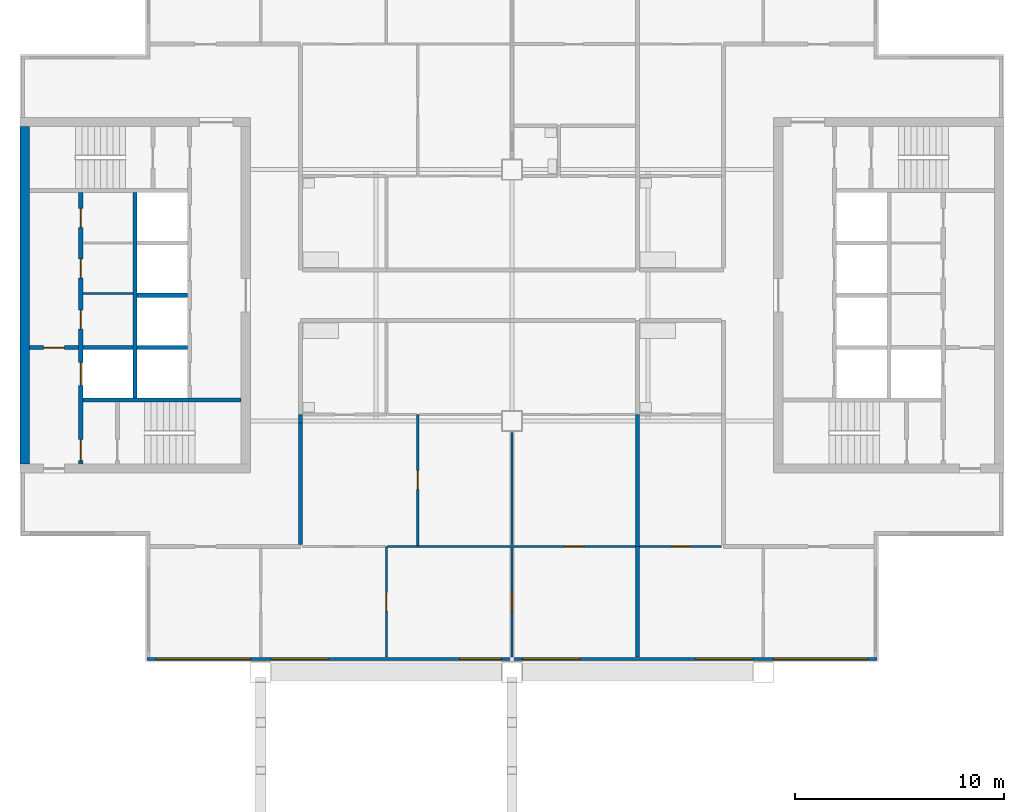
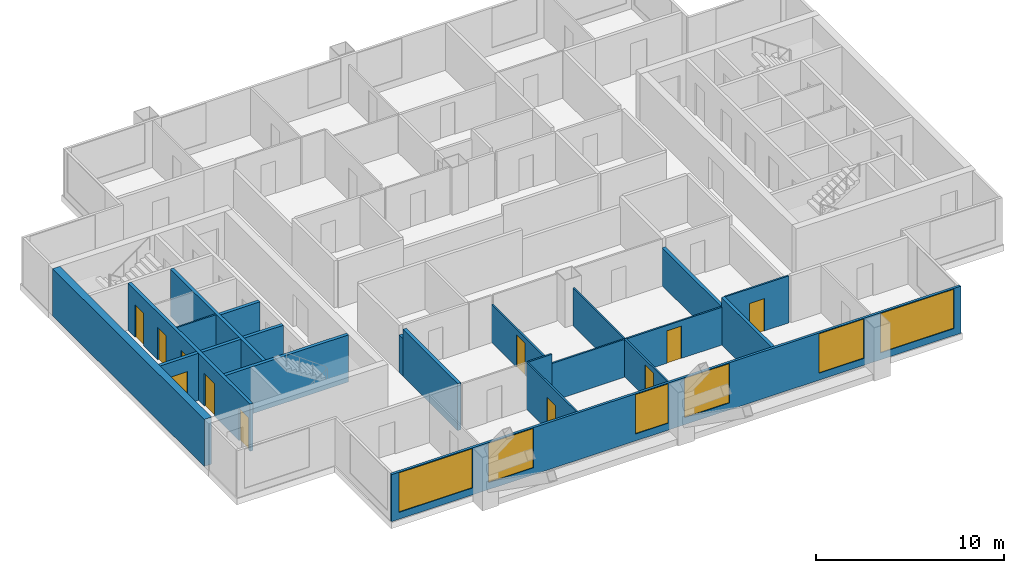
# One storey, part 2 of 8: 22 walls, 11 doors, 6 windows, 17 openings.
"""IFC4 building model written with IfcOpenShell, lengths in metres."""

from ifc_helpers import new_model, si_unit, direction, frame, frame_2d, origin, place, context, subcontext, project, spatial, rectangle, extrude, material, layer, layer_set, type_object, element, fill, save


model = new_model("IFC4")

# Units and contexts
model_context = context("Model", 3, precision=1e-05, world=origin(), true_north=direction((0.0, 1.0)))
body_context = subcontext(model_context, "Body", "Model", "MODEL_VIEW")
ifc_project = project(units=[si_unit("LENGTHUNIT", "METRE"), si_unit("AREAUNIT", "SQUARE_METRE"), si_unit("VOLUMEUNIT", "CUBIC_METRE"), si_unit("PLANEANGLEUNIT", "RADIAN"), si_unit("MASSUNIT", "GRAM", prefix="KILO")], contexts=[model_context])

# Site, building, storey
site_placement = place(None, origin())
site = spatial("IfcSite", under=ifc_project, at=site_placement, CompositionType="ELEMENT")
building_placement = place(site_placement, origin())
building = spatial("IfcBuilding", under=site, at=building_placement, Name="Kitamizu Gate Tower and Museum", CompositionType="ELEMENT")
storey_placement = place(building_placement, frame((0.0, 0.0, 266.25)))
storey = spatial("IfcBuildingStorey", under=building, at=storey_placement, Name="L72", CompositionType="ELEMENT", Elevation=266.25)

# Walls
ifc_material_1 = material(Name="Concrete Fc42", Category="concrete")
ifc_layer_1 = layer(ifc_material_1, 0.449951171875)
ifc_layer_set_1 = layer_set([ifc_layer_1], Name="Concrete Fc42")
wall_type_1 = type_object("IfcWallType", Name="Core wall 450 EI 90", PredefinedType="SHEAR", material=ifc_layer_set_1)
wall_1_placement = place(storey_placement, frame((12.72509765625, 21.949951171875, 0.0), z_axis=(0.0, 0.0, 1.0), x_axis=(0.0, 1.0, 0.0)))
element("IfcWall", 1, at=wall_1_placement, inside=storey, type_object=wall_type_1, Name="Core wall WOUT", PredefinedType="SHEAR", context=body_context, shape_type="SweptSolid", body=[
    extrude(rectangle(XDim=16.10009765625, YDim=0.449951171875, at=frame_2d((8.050048828125, 0.0))), origin(), (0.0, 0.0, 1.0), 3.050048828125),
])
ifc_material_2 = material(Name="Gypsum board on galvanised stud")
ifc_layer_2 = layer(ifc_material_2, 0.10009765625)
ifc_layer_set_2 = layer_set([ifc_layer_2], Name="Gypsum board on galvanised stud")
wall_type_2 = type_object("IfcWallType", Name="Partition 100", PredefinedType="PARTITIONING", material=ifc_layer_set_2)
wall_2_placement = place(storey_placement, frame((15.5, 30.08203125, 0.0), z_axis=(0.0, 0.0, 1.0), x_axis=(1.0, 0.0, 0.0)))
element("IfcWall", 2, at=wall_2_placement, inside=storey, type_object=wall_type_2, Name="Partition WPF1", PredefinedType="PARTITIONING", context=body_context, shape_type="SweptSolid", body=[
    extrude(rectangle(XDim=2.39990234375, YDim=0.10009765625, at=frame_2d((1.199951171875, 0.0))), origin(), (0.0, 0.0, 1.0), 3.050048828125),
])

# Wall, opening, door
ifc_material_3 = material(Name="Gypsum board on galvanised stud")
ifc_layer_3 = layer(ifc_material_3, 0.10009765625)
ifc_layer_set_3 = layer_set([ifc_layer_3], Name="Gypsum board on galvanised stud")
wall_type_3 = type_object("IfcWallType", Name="Partition 100 NOT RATED", PredefinedType="PARTITIONING", material=ifc_layer_set_3)
wall_3_placement = place(storey_placement, frame((30.0, 12.719970703125, 0.0), z_axis=(0.0, 0.0, 1.0), x_axis=(0.0, 1.0, 0.0)))
wall_3 = element("IfcWall", 3, at=wall_3_placement, inside=storey, type_object=wall_type_3, Name="Partition L72-003", PredefinedType="PARTITIONING", context=body_context, shape_type="SweptSolid", body=[
    extrude(rectangle(XDim=5.280029296875, YDim=0.10009765625, at=frame_2d((2.64013671875, 0.0))), origin(), (0.0, 0.0, 1.0), 3.050048828125),
])
opening_1_placement = place(wall_3_placement, frame((2.18994140625, 0.0, 0.0)))
opening_1 = element("IfcOpeningElement", 4, at=opening_1_placement, cuts=wall_3, Name="Opening L72-003", PredefinedType="OPENING", context=body_context, shape_type="SweptSolid", body=[
    extrude(rectangle(XDim=0.89990234375, YDim=2.10009765625, at=frame_2d((0.449951171875, 1.050048828125))), frame((0.0, 0.06005859375, 0.0), z_axis=(0.0, -1.0, 0.0), x_axis=(1.0, 0.0, 0.0)), (0.0, 0.0, 1.0), 0.1201171875),
])
ifc_material_4 = material(Name="Timber door set", Category="wood")
door_type_1 = type_object("IfcDoorType", Name="Room door 900", OperationType="NOTDEFINED", PredefinedType="DOOR", material=ifc_material_4)
door_1_placement = place(opening_1_placement, origin())
door_1 = element("IfcDoor", 5, at=door_1_placement, inside=storey, type_object=door_type_1, Name="Door L72-003", OperationType="SINGLE_SWING_RIGHT", OverallHeight=2.10009765625, OverallWidth=0.89990234375, PredefinedType="DOOR", context=body_context, shape_type="SweptSolid", body=[
    extrude(rectangle(XDim=0.89990234375, YDim=2.10009765625, at=frame_2d((0.449951171875, 1.050048828125))), frame((0.0, 0.02490234375, 0.0), z_axis=(0.0, -1.0, 0.0), x_axis=(1.0, 0.0, 0.0)), (0.0, 0.0, 1.0), 0.050048828125),
])
fill(opening_1, door_1)

wall_4_placement = place(storey_placement, frame((36.0, 12.719970703125, 0.0), z_axis=(0.0, 0.0, 1.0), x_axis=(0.0, 1.0, 0.0)))
wall_4 = element("IfcWall", 6, at=wall_4_placement, inside=storey, type_object=wall_type_3, Name="Partition L72-006", PredefinedType="PARTITIONING", context=body_context, shape_type="SweptSolid", body=[
    extrude(rectangle(XDim=5.280029296875, YDim=0.10009765625, at=frame_2d((2.64013671875, 0.0))), origin(), (0.0, 0.0, 1.0), 2.449951171875),
])
opening_2_placement = place(wall_4_placement, frame((2.18994140625, 0.0, 0.0)))
opening_2 = element("IfcOpeningElement", 7, at=opening_2_placement, cuts=wall_4, Name="Opening L72-004", PredefinedType="OPENING", context=body_context, shape_type="SweptSolid", body=[
    extrude(rectangle(XDim=0.89990234375, YDim=2.10009765625, at=frame_2d((0.449951171875, 1.050048828125))), frame((0.0, 0.06005859375, 0.0), z_axis=(0.0, -1.0, 0.0), x_axis=(1.0, 0.0, 0.0)), (0.0, 0.0, 1.0), 0.1201171875),
])
door_2_placement = place(opening_2_placement, origin())
door_2 = element("IfcDoor", 8, at=door_2_placement, inside=storey, type_object=door_type_1, Name="Door L72-004", OperationType="SINGLE_SWING_LEFT", OverallHeight=2.10009765625, OverallWidth=0.89990234375, PredefinedType="DOOR", context=body_context, shape_type="SweptSolid", body=[
    extrude(rectangle(XDim=0.89990234375, YDim=2.10009765625, at=frame_2d((0.449951171875, 1.050048828125))), frame((0.0, 0.02490234375, 0.0), z_axis=(0.0, -1.0, 0.0), x_axis=(1.0, 0.0, 0.0)), (0.0, 0.0, 1.0), 0.050048828125),
])
fill(opening_2, door_2)

# Walls
wall_5_placement = place(storey_placement, frame((31.5, 18.0, 0.0), z_axis=(0.0, 0.0, 1.0), x_axis=(-1.0, 0.0, 0.0)))
element("IfcWall", 9, at=wall_5_placement, inside=storey, type_object=wall_type_3, Name="Partition L72-007", PredefinedType="PARTITIONING", context=body_context, shape_type="SweptSolid", body=[
    extrude(rectangle(XDim=1.449951171875, YDim=0.10009765625, at=frame_2d((0.72509765625, 0.0))), origin(), (0.0, 0.0, 1.0), 3.050048828125),
])
wall_6_placement = place(storey_placement, frame((35.949951171875, 18.0, 0.0), z_axis=(0.0, 0.0, 1.0), x_axis=(-1.0, 0.0, 0.0)))
element("IfcWall", 10, at=wall_6_placement, inside=storey, type_object=wall_type_3, Name="Partition L72-008", PredefinedType="PARTITIONING", context=body_context, shape_type="SweptSolid", body=[
    extrude(rectangle(XDim=4.449951171875, YDim=0.10009765625, at=frame_2d((2.22509765625, 0.0))), origin(), (0.0, 0.0, 1.0), 2.449951171875),
])

# Wall, opening, door
wall_7_placement = place(storey_placement, frame((41.89990234375, 18.0, 0.0), z_axis=(0.0, 0.0, 1.0), x_axis=(-1.0, 0.0, 0.0)))
wall_7 = element("IfcWall", 11, at=wall_7_placement, inside=storey, type_object=wall_type_3, Name="Partition L72-009", PredefinedType="PARTITIONING", context=body_context, shape_type="SweptSolid", body=[
    extrude(rectangle(XDim=5.849853515625, YDim=0.10009765625, at=frame_2d((2.9248046875, 0.0))), origin(), (0.0, 0.0, 1.0), 2.449951171875),
])
opening_3_placement = place(wall_7_placement, frame((2.47509765625, 0.0, 0.0)))
opening_3 = element("IfcOpeningElement", 12, at=opening_3_placement, cuts=wall_7, Name="Opening L72-007", PredefinedType="OPENING", context=body_context, shape_type="SweptSolid", body=[
    extrude(rectangle(XDim=0.89990234375, YDim=2.10009765625, at=frame_2d((0.449951171875, 1.050048828125))), frame((0.0, 0.06005859375, 0.0), z_axis=(0.0, -1.0, 0.0), x_axis=(1.0, 0.0, 0.0)), (0.0, 0.0, 1.0), 0.1201171875),
])
door_3_placement = place(opening_3_placement, origin())
door_3 = element("IfcDoor", 13, at=door_3_placement, inside=storey, type_object=door_type_1, Name="Door L72-007", OperationType="SINGLE_SWING_RIGHT", OverallHeight=2.10009765625, OverallWidth=0.89990234375, PredefinedType="DOOR", context=body_context, shape_type="SweptSolid", body=[
    extrude(rectangle(XDim=0.89990234375, YDim=2.10009765625, at=frame_2d((0.449951171875, 1.050048828125))), frame((0.0, 0.02490234375, 0.0), z_axis=(0.0, -1.0, 0.0), x_axis=(1.0, 0.0, 0.0)), (0.0, 0.0, 1.0), 0.050048828125),
])
fill(opening_3, door_3)

wall_8_placement = place(storey_placement, frame((31.5, 18.050048828125, 0.0), z_axis=(0.0, 0.0, 1.0), x_axis=(0.0, 1.0, 0.0)))
wall_8 = element("IfcWall", 14, at=wall_8_placement, inside=storey, type_object=wall_type_3, Name="Partition L72-011", PredefinedType="PARTITIONING", context=body_context, shape_type="SweptSolid", body=[
    extrude(rectangle(XDim=6.25, YDim=0.10009765625, at=frame_2d((3.125, 0.0))), origin(), (0.0, 0.0, 1.0), 2.449951171875),
])
opening_4_placement = place(wall_8_placement, frame((2.675048828125, 0.0, 0.0)))
opening_4 = element("IfcOpeningElement", 15, at=opening_4_placement, cuts=wall_8, Name="Opening L72-006", PredefinedType="OPENING", context=body_context, shape_type="SweptSolid", body=[
    extrude(rectangle(XDim=0.89990234375, YDim=2.10009765625, at=frame_2d((0.449951171875, 1.050048828125))), frame((0.0, 0.06005859375, 0.0), z_axis=(0.0, -1.0, 0.0), x_axis=(1.0, 0.0, 0.0)), (0.0, 0.0, 1.0), 0.1201171875),
])
door_4_placement = place(opening_4_placement, frame((0.89990234375, 0.0, 0.0), x_axis=(-1.0, 0.0, 0.0)))
door_4 = element("IfcDoor", 16, at=door_4_placement, inside=storey, type_object=door_type_1, Name="Door L72-006", OperationType="SINGLE_SWING_RIGHT", OverallHeight=2.10009765625, OverallWidth=0.89990234375, PredefinedType="DOOR", context=body_context, shape_type="SweptSolid", body=[
    extrude(rectangle(XDim=0.89990234375, YDim=2.10009765625, at=frame_2d((0.449951171875, 1.050048828125))), frame((0.0, 0.02490234375, 0.0), z_axis=(0.0, -1.0, 0.0), x_axis=(1.0, 0.0, 0.0)), (0.0, 0.0, 1.0), 0.050048828125),
])
fill(opening_4, door_4)

# Wall
wall_9_placement = place(storey_placement, frame((36.0, 18.050048828125, 0.0), z_axis=(0.0, 0.0, 1.0), x_axis=(0.0, 1.0, 0.0)))
element("IfcWall", 17, at=wall_9_placement, inside=storey, type_object=wall_type_3, Name="Partition L72-016", PredefinedType="PARTITIONING", context=body_context, shape_type="SweptSolid", body=[
    extrude(rectangle(XDim=5.39990234375, YDim=0.10009765625, at=frame_2d((2.699951171875, 0.0))), origin(), (0.0, 0.0, 1.0), 2.449951171875),
])

# Wall, opening, door
wall_10_placement = place(storey_placement, frame((46.0, 18.0, 0.0), z_axis=(0.0, 0.0, 1.0), x_axis=(-1.0, 0.0, 0.0)))
wall_10 = element("IfcWall", 18, at=wall_10_placement, inside=storey, type_object=wall_type_3, Name="Partition L72-060", PredefinedType="PARTITIONING", context=body_context, shape_type="SweptSolid", body=[
    extrude(rectangle(XDim=3.89990234375, YDim=0.10009765625, at=frame_2d((1.949951171875, 0.0))), origin(), (0.0, 0.0, 1.0), 3.050048828125),
])
opening_5_placement = place(wall_10_placement, frame((1.5, 0.0, 0.0)))
opening_5 = element("IfcOpeningElement", 19, at=opening_5_placement, cuts=wall_10, Name="Opening L72-023", PredefinedType="OPENING", context=body_context, shape_type="SweptSolid", body=[
    extrude(rectangle(XDim=0.89990234375, YDim=2.10009765625, at=frame_2d((0.449951171875, 1.050048828125))), frame((0.0, 0.06005859375, 0.0), z_axis=(0.0, -1.0, 0.0), x_axis=(1.0, 0.0, 0.0)), (0.0, 0.0, 1.0), 0.1201171875),
])
door_5_placement = place(opening_5_placement, frame((0.89990234375, 0.0, 0.0), x_axis=(-1.0, 0.0, 0.0)))
door_5 = element("IfcDoor", 20, at=door_5_placement, inside=storey, type_object=door_type_1, Name="Door L72-023", OperationType="SINGLE_SWING_LEFT", OverallHeight=2.10009765625, OverallWidth=0.89990234375, PredefinedType="DOOR", context=body_context, shape_type="SweptSolid", body=[
    extrude(rectangle(XDim=0.89990234375, YDim=2.10009765625, at=frame_2d((0.449951171875, 1.050048828125))), frame((0.0, 0.02490234375, 0.0), z_axis=(0.0, -1.0, 0.0), x_axis=(1.0, 0.0, 0.0)), (0.0, 0.0, 1.0), 0.050048828125),
])
fill(opening_5, door_5)

# Walls
ifc_material_5 = material(Name="Gypsum board on galvanised stud")
ifc_layer_4 = layer(ifc_material_5, 0.199951171875)
ifc_layer_set_4 = layer_set([ifc_layer_4], Name="Gypsum board on galvanised stud")
wall_type_4 = type_object("IfcWallType", Name="Partition 200", PredefinedType="PARTITIONING", material=ifc_layer_set_4)
wall_11_placement = place(storey_placement, frame((42.0, 12.719970703125, 0.0), z_axis=(0.0, 0.0, 1.0), x_axis=(0.0, 1.0, 0.0)))
element("IfcWall", 21, at=wall_11_placement, inside=storey, type_object=wall_type_4, Name="Partition L72-010", PredefinedType="PARTITIONING", context=body_context, shape_type="SweptSolid", body=[
    extrude(rectangle(XDim=5.280029296875, YDim=0.199951171875, at=frame_2d((2.64013671875, 0.0))), origin(), (0.0, 0.0, 1.0), 3.050048828125),
])
wall_12_placement = place(storey_placement, frame((25.89990234375, 24.300048828125, 0.0), z_axis=(0.0, 0.0, 1.0), x_axis=(0.0, -1.0, 0.0)))
element("IfcWall", 22, at=wall_12_placement, inside=storey, type_object=wall_type_4, Name="Partition L72-014", PredefinedType="PARTITIONING", context=body_context, shape_type="SweptSolid", body=[
    extrude(rectangle(XDim=0.400146484375, YDim=0.199951171875, at=frame_2d((0.2001953125, 0.0))), origin(), (0.0, 0.0, 1.0), 2.449951171875),
])
wall_13_placement = place(storey_placement, frame((25.89990234375, 23.89990234375, 0.0), z_axis=(0.0, 0.0, 1.0), x_axis=(0.0, -1.0, 0.0)))
element("IfcWall", 23, at=wall_13_placement, inside=storey, type_object=wall_type_4, Name="Partition L72-015", PredefinedType="PARTITIONING", context=body_context, shape_type="SweptSolid", body=[
    extrude(rectangle(XDim=5.7998046875, YDim=0.199951171875, at=frame_2d((2.89990234375, 0.0))), origin(), (0.0, 0.0, 1.0), 3.050048828125),
])
wall_14_placement = place(storey_placement, frame((42.0, 18.0, 0.0), z_axis=(0.0, 0.0, 1.0), x_axis=(0.0, 1.0, 0.0)))
element("IfcWall", 24, at=wall_14_placement, inside=storey, type_object=wall_type_4, Name="Partition L72-019", PredefinedType="PARTITIONING", context=body_context, shape_type="SweptSolid", body=[
    extrude(rectangle(XDim=6.300048828125, YDim=0.199951171875, at=frame_2d((3.14990234375, 0.0))), origin(), (0.0, 0.0, 1.0), 2.449951171875),
])

# Wall, openings, doors
ifc_material_6 = material(Name="Concrete Fc42", Category="concrete")
ifc_layer_5 = layer(ifc_material_6, 0.199951171875)
ifc_layer_set_5 = layer_set([ifc_layer_5], Name="Concrete Fc42")
wall_type_5 = type_object("IfcWallType", Name="Shaft wall 200", PredefinedType="SOLIDWALL", material=ifc_layer_set_5)
wall_15_placement = place(storey_placement, frame((15.39990234375, 21.949951171875, 0.0), z_axis=(0.0, 0.0, 1.0), x_axis=(0.0, 1.0, 0.0)))
wall_15 = element("IfcWall", 25, at=wall_15_placement, inside=storey, type_object=wall_type_5, Name="Shaft wall WWEST", PredefinedType="SOLIDWALL", context=body_context, shape_type="SweptSolid", body=[
    extrude(rectangle(XDim=12.949951171875, YDim=0.199951171875, at=frame_2d((6.47509765625, 0.0))), origin(), (0.0, 0.0, 1.0), 3.050048828125),
])
opening_6_placement = place(wall_15_placement, frame((3.75, 0.0, 0.0)))
opening_6 = element("IfcOpeningElement", 26, at=opening_6_placement, cuts=wall_15, Name="Opening LD", PredefinedType="OPENING", context=body_context, shape_type="SweptSolid", body=[
    extrude(rectangle(XDim=1.10009765625, YDim=2.10009765625, at=frame_2d((0.550048828125, 1.050048828125))), frame((0.0, 0.10986328125, 0.0), z_axis=(0.0, -1.0, 0.0), x_axis=(1.0, 0.0, 0.0)), (0.0, 0.0, 1.0), 0.219970703125),
])
opening_7_placement = place(wall_15_placement, frame((0.14990234375, 0.0, 0.0)))
opening_7 = element("IfcOpeningElement", 27, at=opening_7_placement, cuts=wall_15, Name="Opening L72-030", PredefinedType="OPENING", context=body_context, shape_type="SweptSolid", body=[
    extrude(rectangle(XDim=1.0, YDim=2.10009765625, at=frame_2d((0.5, 1.050048828125))), frame((0.0, 0.10986328125, 0.0), z_axis=(0.0, -1.0, 0.0), x_axis=(1.0, 0.0, 0.0)), (0.0, 0.0, 1.0), 0.219970703125),
])
opening_8_placement = place(wall_15_placement, frame((6.44091796875, 0.0, 0.0)))
opening_8 = element("IfcOpeningElement", 28, at=opening_8_placement, cuts=wall_15, Name="Opening L72-037", PredefinedType="OPENING", context=body_context, shape_type="SweptSolid", body=[
    extrude(rectangle(XDim=0.89990234375, YDim=2.10009765625, at=frame_2d((0.449951171875, 1.050048828125))), frame((0.0, 0.10986328125, 0.0), z_axis=(0.0, -1.0, 0.0), x_axis=(1.0, 0.0, 0.0)), (0.0, 0.0, 1.0), 0.219970703125),
])
opening_9_placement = place(wall_15_placement, frame((8.886474609375, 0.0, 0.0)))
opening_9 = element("IfcOpeningElement", 29, at=opening_9_placement, cuts=wall_15, Name="Opening L72-038", PredefinedType="OPENING", context=body_context, shape_type="SweptSolid", body=[
    extrude(rectangle(XDim=0.89990234375, YDim=2.10009765625, at=frame_2d((0.449951171875, 1.050048828125))), frame((0.0, 0.10986328125, 0.0), z_axis=(0.0, -1.0, 0.0), x_axis=(1.0, 0.0, 0.0)), (0.0, 0.0, 1.0), 0.219970703125),
])
opening_10_placement = place(wall_15_placement, frame((11.29541015625, 0.0, 0.0)))
opening_10 = element("IfcOpeningElement", 30, at=opening_10_placement, cuts=wall_15, Name="Opening L72-039", PredefinedType="OPENING", context=body_context, shape_type="SweptSolid", body=[
    extrude(rectangle(XDim=0.89990234375, YDim=2.10009765625, at=frame_2d((0.449951171875, 1.050048828125))), frame((0.0, 0.10986328125, 0.0), z_axis=(0.0, -1.0, 0.0), x_axis=(1.0, 0.0, 0.0)), (0.0, 0.0, 1.0), 0.219970703125),
])
ifc_material_7 = material(Name="Hollow metal door set")
door_type_2 = type_object("IfcDoorType", Name="Fire door 1000", OperationType="NOTDEFINED", PredefinedType="DOOR", material=ifc_material_7)
door_6_placement = place(opening_7_placement, frame((1.0, 0.0, 0.0), x_axis=(-1.0, 0.0, 0.0)))
door_6 = element("IfcDoor", 31, at=door_6_placement, inside=storey, type_object=door_type_2, Name="Stair lobby door L72-030", OperationType="SINGLE_SWING_LEFT", OverallHeight=2.10009765625, OverallWidth=1.0, PredefinedType="DOOR", context=body_context, shape_type="SweptSolid", body=[
    extrude(rectangle(XDim=1.0, YDim=2.10009765625, at=frame_2d((0.5, 1.050048828125))), frame((0.0, 0.02490234375, 0.0), z_axis=(0.0, -1.0, 0.0), x_axis=(1.0, 0.0, 0.0)), (0.0, 0.0, 1.0), 0.050048828125),
])
fill(opening_7, door_6)
ifc_material_8 = material(Name="Hollow metal door set")
door_type_3 = type_object("IfcDoorType", Name="Landing door 1100", OperationType="SLIDING_TO_LEFT", PredefinedType="DOOR", material=ifc_material_8)
door_7_placement = place(opening_6_placement, origin())
door_7 = element("IfcDoor", 32, at=door_7_placement, inside=storey, type_object=door_type_3, Name="Landing door WFF1", OperationType="SLIDING_TO_LEFT", OverallHeight=2.10009765625, OverallWidth=1.10009765625, PredefinedType="DOOR", context=body_context, shape_type="SweptSolid", body=[
    extrude(rectangle(XDim=1.10009765625, YDim=2.10009765625, at=frame_2d((0.550048828125, 1.050048828125))), frame((0.0, 0.02490234375, 0.0), z_axis=(0.0, -1.0, 0.0), x_axis=(1.0, 0.0, 0.0)), (0.0, 0.0, 1.0), 0.050048828125),
])
fill(opening_6, door_7)
ifc_material_9 = material(Name="Timber door set", Category="wood")
door_type_4 = type_object("IfcDoorType", Name="Service door 900", OperationType="NOTDEFINED", PredefinedType="DOOR", material=ifc_material_9)
door_8_placement = place(opening_8_placement, frame((0.89990234375, 0.0, 0.0), x_axis=(-1.0, 0.0, 0.0)))
door_8 = element("IfcDoor", 33, at=door_8_placement, inside=storey, type_object=door_type_4, Name="Service door L72-037", OperationType="SINGLE_SWING_LEFT", OverallHeight=2.10009765625, OverallWidth=0.89990234375, PredefinedType="DOOR", context=body_context, shape_type="SweptSolid", body=[
    extrude(rectangle(XDim=0.89990234375, YDim=2.10009765625, at=frame_2d((0.449951171875, 1.050048828125))), frame((0.0, 0.02490234375, 0.0), z_axis=(0.0, -1.0, 0.0), x_axis=(1.0, 0.0, 0.0)), (0.0, 0.0, 1.0), 0.050048828125),
])
fill(opening_8, door_8)
door_9_placement = place(opening_9_placement, frame((0.89990234375, 0.0, 0.0), x_axis=(-1.0, 0.0, 0.0)))
door_9 = element("IfcDoor", 34, at=door_9_placement, inside=storey, type_object=door_type_4, Name="Service door L72-038", OperationType="SINGLE_SWING_RIGHT", OverallHeight=2.10009765625, OverallWidth=0.89990234375, PredefinedType="DOOR", context=body_context, shape_type="SweptSolid", body=[
    extrude(rectangle(XDim=0.89990234375, YDim=2.10009765625, at=frame_2d((0.449951171875, 1.050048828125))), frame((0.0, 0.02490234375, 0.0), z_axis=(0.0, -1.0, 0.0), x_axis=(1.0, 0.0, 0.0)), (0.0, 0.0, 1.0), 0.050048828125),
])
fill(opening_9, door_9)
door_10_placement = place(opening_10_placement, frame((0.89990234375, 0.0, 0.0), x_axis=(-1.0, 0.0, 0.0)))
door_10 = element("IfcDoor", 35, at=door_10_placement, inside=storey, type_object=door_type_4, Name="Service door L72-039", OperationType="SINGLE_SWING_LEFT", OverallHeight=2.10009765625, OverallWidth=0.89990234375, PredefinedType="DOOR", context=body_context, shape_type="SweptSolid", body=[
    extrude(rectangle(XDim=0.89990234375, YDim=2.10009765625, at=frame_2d((0.449951171875, 1.050048828125))), frame((0.0, 0.02490234375, 0.0), z_axis=(0.0, -1.0, 0.0), x_axis=(1.0, 0.0, 0.0)), (0.0, 0.0, 1.0), 0.050048828125),
])
fill(opening_10, door_10)

# Walls
wall_16_placement = place(storey_placement, frame((18.0, 25.10009765625, 0.0), z_axis=(0.0, 0.0, 1.0), x_axis=(0.0, 1.0, 0.0)))
element("IfcWall", 36, at=wall_16_placement, inside=storey, type_object=wall_type_5, Name="Shaft wall WMID", PredefinedType="SOLIDWALL", context=body_context, shape_type="SweptSolid", body=[
    extrude(rectangle(XDim=9.7998046875, YDim=0.199951171875, at=frame_2d((4.89990234375, 0.0))), origin(), (0.0, 0.0, 1.0), 3.050048828125),
])
wall_17_placement = place(storey_placement, frame((15.5, 25.0, 0.0), z_axis=(0.0, 0.0, 1.0), x_axis=(1.0, 0.0, 0.0)))
element("IfcWall", 37, at=wall_17_placement, inside=storey, type_object=wall_type_5, Name="Shaft wall WSB", PredefinedType="SOLIDWALL", context=body_context, shape_type="SweptSolid", body=[
    extrude(rectangle(XDim=7.550048828125, YDim=0.199951171875, at=frame_2d((3.77490234375, 0.0))), origin(), (0.0, 0.0, 1.0), 3.050048828125),
])

# Wall, opening, door
wall_18_placement = place(storey_placement, frame((12.949951171875, 27.5, 0.0), z_axis=(0.0, 0.0, 1.0), x_axis=(1.0, 0.0, 0.0)))
wall_18 = element("IfcWall", 38, at=wall_18_placement, inside=storey, type_object=wall_type_5, Name="Shaft wall WFFN", PredefinedType="SOLIDWALL", context=body_context, shape_type="SweptSolid", body=[
    extrude(rectangle(XDim=2.35009765625, YDim=0.199951171875, at=frame_2d((1.175048828125, 0.0))), origin(), (0.0, 0.0, 1.0), 3.050048828125),
])
opening_11_placement = place(wall_18_placement, frame((0.675048828125, 0.0, 0.0)))
opening_11 = element("IfcOpeningElement", 39, at=opening_11_placement, cuts=wall_18, Name="Opening L72-033", PredefinedType="OPENING", context=body_context, shape_type="SweptSolid", body=[
    extrude(rectangle(XDim=1.0, YDim=2.10009765625, at=frame_2d((0.5, 1.050048828125))), frame((0.0, 0.10986328125, 0.0), z_axis=(0.0, -1.0, 0.0), x_axis=(1.0, 0.0, 0.0)), (0.0, 0.0, 1.0), 0.219970703125),
])
door_11_placement = place(opening_11_placement, frame((1.0, 0.0, 0.0), x_axis=(-1.0, 0.0, 0.0)))
door_11 = element("IfcDoor", 40, at=door_11_placement, inside=storey, type_object=door_type_2, Name="Fire-fighting lobby door L72-033", OperationType="SINGLE_SWING_LEFT", OverallHeight=2.10009765625, OverallWidth=1.0, PredefinedType="DOOR", context=body_context, shape_type="SweptSolid", body=[
    extrude(rectangle(XDim=1.0, YDim=2.10009765625, at=frame_2d((0.5, 1.050048828125))), frame((0.0, 0.02490234375, 0.0), z_axis=(0.0, -1.0, 0.0), x_axis=(1.0, 0.0, 0.0)), (0.0, 0.0, 1.0), 0.050048828125),
])
fill(opening_11, door_11)

# Walls
for number, where, z_axis, x_axis, name in (
    (41, (15.5, 27.5, 0.0), (0.0, 0.0, 1.0), (1.0, 0.0, 0.0), "Shaft wall WDVW0"),
    (42, (18.10009765625, 27.5, 0.0), (0.0, 0.0, 1.0), (1.0, 0.0, 0.0), "Shaft wall WDVE0"),
    (43, (18.10009765625, 30.0, 0.0), (0.0, 0.0, 1.0), (1.0, 0.0, 0.0), "Shaft wall WDVE1"),
):
    element("IfcWall", number, at=place(storey_placement, frame(where, z_axis=z_axis, x_axis=x_axis)), inside=storey, type_object=wall_type_5, Name=name, PredefinedType="SOLIDWALL", context=body_context, shape_type="SweptSolid", body=[
        extrude(rectangle(XDim=2.39990234375, YDim=0.199951171875, at=frame_2d((1.199951171875, 0.0))), origin(), (0.0, 0.0, 1.0), 3.050048828125),
    ])

# Wall, openings, windows
ifc_material_10 = material(Name="Bronze anodised aluminium frame with insulated spandrel and tinted glass", Category="aluminium")
ifc_layer_6 = layer(ifc_material_10, 0.14990234375)
ifc_layer_set_6 = layer_set([ifc_layer_6], Name="Bronze anodised aluminium frame with insulated spandrel and tinted glass")
wall_type_6 = type_object("IfcWallType", Name="WINDOW WALL 150 BRONZE FRAME EI 30", PredefinedType="ELEMENTEDWALL", material=ifc_layer_set_6)
wall_19_placement = place(storey_placement, frame((18.56005859375, 12.635009765625, 0.0), z_axis=(0.0, 0.0, 1.0), x_axis=(1.0, 0.0, 0.0)))
wall_19 = element("IfcWall", 44, at=wall_19_placement, inside=storey, type_object=wall_type_6, Name="Window wall south L72", PredefinedType="ELEMENTEDWALL", context=body_context, shape_type="SweptSolid", body=[
    extrude(rectangle(XDim=34.8798828125, YDim=0.14990234375, at=frame_2d((17.43994140625, 0.0))), origin(), (0.0, 0.0, 1.0), 3.050048828125),
])
opening_12_placement = place(wall_19_placement, frame((0.43994140625, 0.0, 0.449951171875)))
opening_12 = element("IfcOpeningElement", 45, at=opening_12_placement, cuts=wall_19, Name="Opening W15", PredefinedType="OPENING", context=body_context, shape_type="SweptSolid", body=[
    extrude(rectangle(XDim=4.5, YDim=2.550048828125, at=frame_2d((2.25, 1.27490234375))), frame((0.0, 0.0849609375, 0.0), z_axis=(0.0, -1.0, 0.0), x_axis=(1.0, 0.0, 0.0)), (0.0, 0.0, 1.0), 0.169921875),
])
opening_13_placement = place(wall_19_placement, frame((5.93994140625, 0.0, 0.449951171875)))
opening_13 = element("IfcOpeningElement", 46, at=opening_13_placement, cuts=wall_19, Name="Opening W32", PredefinedType="OPENING", context=body_context, shape_type="SweptSolid", body=[
    extrude(rectangle(XDim=2.75, YDim=2.550048828125, at=frame_2d((1.375, 1.27490234375))), frame((0.0, 0.0849609375, 0.0), z_axis=(0.0, -1.0, 0.0), x_axis=(1.0, 0.0, 0.0)), (0.0, 0.0, 1.0), 0.169921875),
])
opening_14_placement = place(wall_19_placement, frame((14.93994140625, 0.0, 0.449951171875)))
opening_14 = element("IfcOpeningElement", 47, at=opening_14_placement, cuts=wall_19, Name="Opening W2", PredefinedType="OPENING", context=body_context, shape_type="SweptSolid", body=[
    extrude(rectangle(XDim=2.0, YDim=2.550048828125, at=frame_2d((1.0, 1.27490234375))), frame((0.0, 0.0849609375, 0.0), z_axis=(0.0, -1.0, 0.0), x_axis=(1.0, 0.0, 0.0)), (0.0, 0.0, 1.0), 0.169921875),
])
opening_15_placement = place(wall_19_placement, frame((17.93994140625, 0.0, 0.449951171875)))
opening_15 = element("IfcOpeningElement", 48, at=opening_15_placement, cuts=wall_19, Name="Opening W32", PredefinedType="OPENING", context=body_context, shape_type="SweptSolid", body=[
    extrude(rectangle(XDim=2.75, YDim=2.550048828125, at=frame_2d((1.375, 1.27490234375))), frame((0.0, 0.0849609375, 0.0), z_axis=(0.0, -1.0, 0.0), x_axis=(1.0, 0.0, 0.0)), (0.0, 0.0, 1.0), 0.169921875),
])
opening_16_placement = place(wall_19_placement, frame((26.18994140625, 0.0, 0.449951171875)))
opening_16 = element("IfcOpeningElement", 49, at=opening_16_placement, cuts=wall_19, Name="Opening W32", PredefinedType="OPENING", context=body_context, shape_type="SweptSolid", body=[
    extrude(rectangle(XDim=2.75, YDim=2.550048828125, at=frame_2d((1.375, 1.27490234375))), frame((0.0, 0.0849609375, 0.0), z_axis=(0.0, -1.0, 0.0), x_axis=(1.0, 0.0, 0.0)), (0.0, 0.0, 1.0), 0.169921875),
])
opening_17_placement = place(wall_19_placement, frame((29.93994140625, 0.0, 0.449951171875)))
opening_17 = element("IfcOpeningElement", 50, at=opening_17_placement, cuts=wall_19, Name="Opening W15", PredefinedType="OPENING", context=body_context, shape_type="SweptSolid", body=[
    extrude(rectangle(XDim=4.5, YDim=2.550048828125, at=frame_2d((2.25, 1.27490234375))), frame((0.0, 0.0849609375, 0.0), z_axis=(0.0, -1.0, 0.0), x_axis=(1.0, 0.0, 0.0)), (0.0, 0.0, 1.0), 0.169921875),
])
ifc_material_11 = material(Name="Bronze anodised aluminium frame, tinted triple glazing", Category="aluminium")
window_type_1 = type_object("IfcWindowType", Name="WINDOW 2000 x 2550 SILL 450", PartitioningType="SINGLE_PANEL", PredefinedType="WINDOW", material=ifc_material_11)
window_1_placement = place(opening_14_placement, origin())
window_1 = element("IfcWindow", 51, at=window_1_placement, inside=storey, type_object=window_type_1, Name="Window W2 L72", OverallHeight=2.550048828125, OverallWidth=2.0, PartitioningType="SINGLE_PANEL", PredefinedType="WINDOW", context=body_context, shape_type="SweptSolid", body=[
    extrude(rectangle(XDim=2.0, YDim=2.550048828125, at=frame_2d((1.0, 1.27490234375))), frame((0.0, 0.030029296875, 0.0), z_axis=(0.0, -1.0, 0.0), x_axis=(1.0, 0.0, 0.0)), (0.0, 0.0, 1.0), 0.06005859375),
])
fill(opening_14, window_1)
ifc_material_12 = material(Name="Bronze anodised aluminium frame, tinted triple glazing", Category="aluminium")
window_type_2 = type_object("IfcWindowType", Name="WINDOW 2750 x 2550 SILL 450", PartitioningType="SINGLE_PANEL", PredefinedType="WINDOW", material=ifc_material_12)
window_2_placement = place(opening_13_placement, origin())
window_2 = element("IfcWindow", 52, at=window_2_placement, inside=storey, type_object=window_type_2, Name="Window W32 L72", OverallHeight=2.550048828125, OverallWidth=2.75, PartitioningType="SINGLE_PANEL", PredefinedType="WINDOW", context=body_context, shape_type="SweptSolid", body=[
    extrude(rectangle(XDim=2.75, YDim=2.550048828125, at=frame_2d((1.375, 1.27490234375))), frame((0.0, 0.030029296875, 0.0), z_axis=(0.0, -1.0, 0.0), x_axis=(1.0, 0.0, 0.0)), (0.0, 0.0, 1.0), 0.06005859375),
])
fill(opening_13, window_2)
window_3_placement = place(opening_15_placement, origin())
window_3 = element("IfcWindow", 53, at=window_3_placement, inside=storey, type_object=window_type_2, Name="Window W32 L72", OverallHeight=2.550048828125, OverallWidth=2.75, PartitioningType="SINGLE_PANEL", PredefinedType="WINDOW", context=body_context, shape_type="SweptSolid", body=[
    extrude(rectangle(XDim=2.75, YDim=2.550048828125, at=frame_2d((1.375, 1.27490234375))), frame((0.0, 0.030029296875, 0.0), z_axis=(0.0, -1.0, 0.0), x_axis=(1.0, 0.0, 0.0)), (0.0, 0.0, 1.0), 0.06005859375),
])
fill(opening_15, window_3)
window_4_placement = place(opening_16_placement, origin())
window_4 = element("IfcWindow", 54, at=window_4_placement, inside=storey, type_object=window_type_2, Name="Window W32 L72", OverallHeight=2.550048828125, OverallWidth=2.75, PartitioningType="SINGLE_PANEL", PredefinedType="WINDOW", context=body_context, shape_type="SweptSolid", body=[
    extrude(rectangle(XDim=2.75, YDim=2.550048828125, at=frame_2d((1.375, 1.27490234375))), frame((0.0, 0.030029296875, 0.0), z_axis=(0.0, -1.0, 0.0), x_axis=(1.0, 0.0, 0.0)), (0.0, 0.0, 1.0), 0.06005859375),
])
fill(opening_16, window_4)
ifc_material_13 = material(Name="Bronze anodised aluminium frame, tinted triple glazing", Category="aluminium")
window_type_3 = type_object("IfcWindowType", Name="WINDOW 4500 x 2550 SILL 450", PartitioningType="SINGLE_PANEL", PredefinedType="WINDOW", material=ifc_material_13)
window_5_placement = place(opening_12_placement, origin())
window_5 = element("IfcWindow", 55, at=window_5_placement, inside=storey, type_object=window_type_3, Name="Window W15 L72", OverallHeight=2.550048828125, OverallWidth=4.5, PartitioningType="SINGLE_PANEL", PredefinedType="WINDOW", context=body_context, shape_type="SweptSolid", body=[
    extrude(rectangle(XDim=4.5, YDim=2.550048828125, at=frame_2d((2.25, 1.27490234375))), frame((0.0, 0.030029296875, 0.0), z_axis=(0.0, -1.0, 0.0), x_axis=(1.0, 0.0, 0.0)), (0.0, 0.0, 1.0), 0.06005859375),
])
fill(opening_12, window_5)
window_6_placement = place(opening_17_placement, origin())
window_6 = element("IfcWindow", 56, at=window_6_placement, inside=storey, type_object=window_type_3, Name="Window W15 L72", OverallHeight=2.550048828125, OverallWidth=4.5, PartitioningType="SINGLE_PANEL", PredefinedType="WINDOW", context=body_context, shape_type="SweptSolid", body=[
    extrude(rectangle(XDim=4.5, YDim=2.550048828125, at=frame_2d((2.25, 1.27490234375))), frame((0.0, 0.030029296875, 0.0), z_axis=(0.0, -1.0, 0.0), x_axis=(1.0, 0.0, 0.0)), (0.0, 0.0, 1.0), 0.06005859375),
])
fill(opening_17, window_6)

save(model, "model.ifc")
